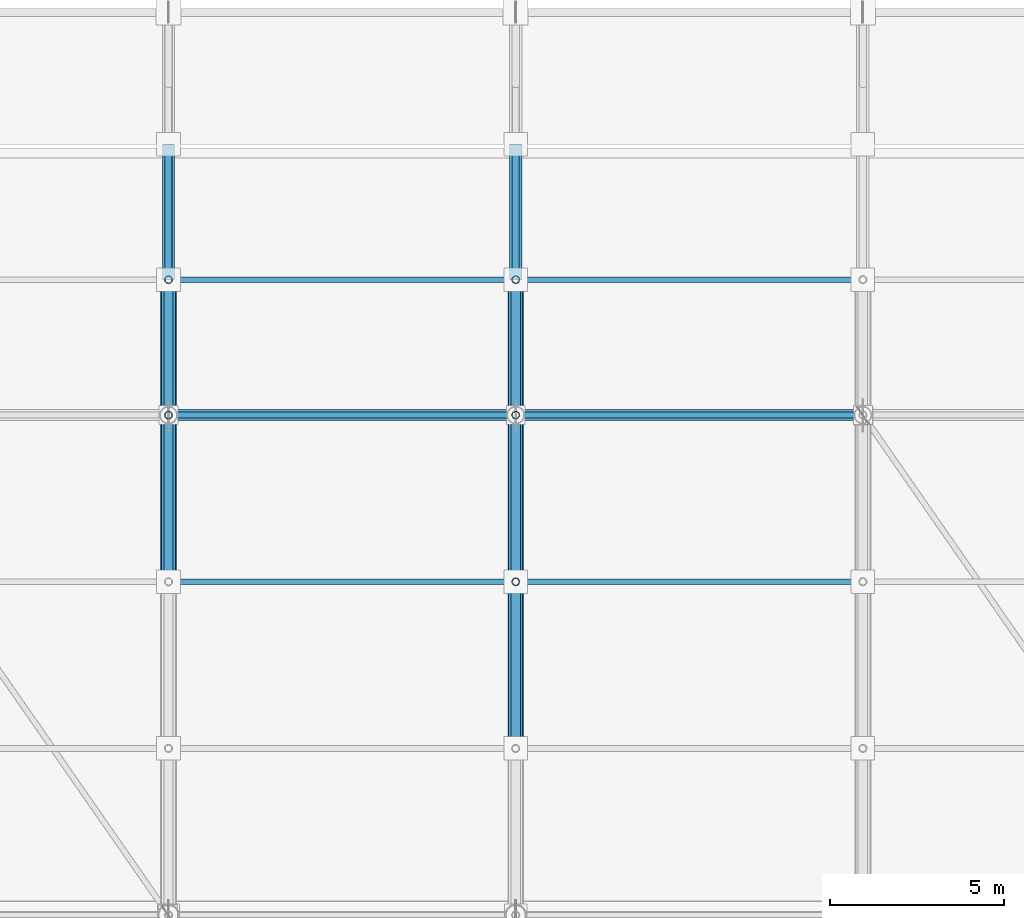
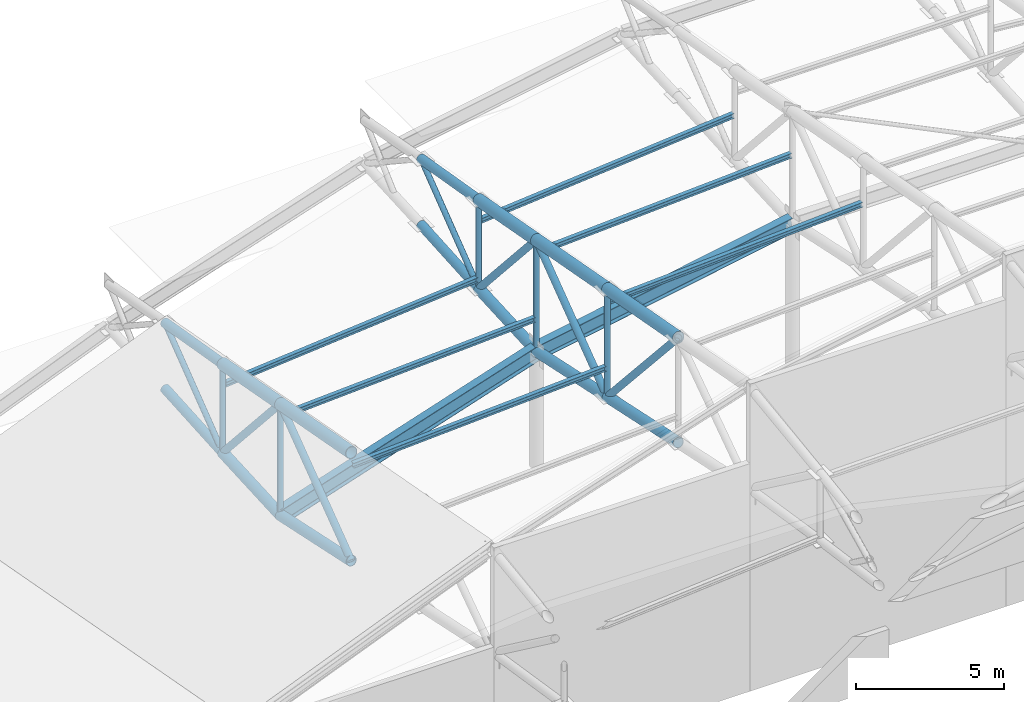
# One storey, part 31 of 146: 32 members, 2 beams.
"""IFC4 building model written with IfcOpenShell, lengths in metres."""

import ifcopenshell
import ifcopenshell.guid

model = None  # the IFC model being written
_history = None  # IfcOwnerHistory: only IFC2X3 demands one
_inside = {}  # id of a spatial element -> (the spatial element, [elements in it])
_under = {}  # id of a project, library or spatial element -> (it, [spatial elements below it])
_declared = {}  # id of a project -> (the project, [libraries it declares])
_typed = {}  # id of a type object -> (the type object, [elements of that type])
_made_of = {}  # id of a material, layer set ... -> (it, [elements and type objects made of it])


def new_model(schema):
    """Start an empty IFC model of exactly this schema.

    Asked for "IFC4X3", IfcOpenShell would pick the latest addendum, in which some entities
    have other attributes; the version numbers below select the first issue.
    IFC2X3 requires an IfcOwnerHistory on every rooted entity: one is made here for all.
    """
    global model, _history
    if schema == "IFC4X3":
        model = ifcopenshell.file(schema_version=(4, 3, 0, 0))
    else:
        model = ifcopenshell.file(schema=schema)
    _inside.clear()
    _under.clear()
    _declared.clear()
    _typed.clear()
    _made_of.clear()
    _history = None
    if model.schema == "IFC2X3":
        org = make("IfcOrganization", Name="unknown")
        user = make(
            "IfcPersonAndOrganization",
            ThePerson=make("IfcPerson", FamilyName="unknown"),
            TheOrganization=org,
        )
        app = make(
            "IfcApplication",
            ApplicationDeveloper=org,
            Version="unknown",
            ApplicationFullName="unknown",
            ApplicationIdentifier="unknown",
        )
        _history = make(
            "IfcOwnerHistory",
            OwningUser=user,
            OwningApplication=app,
            ChangeAction="ADDED",
            CreationDate=0,
        )
    return model


def make(cls, **values):
    """One entity of the class cls with the attributes given. An attribute that is None is left unset."""
    return model.create_entity(
        cls, **{name: value for name, value in values.items() if value is not None}
    )


def rooted(cls, **values):
    """An entity with a GlobalId (a new one), such as an element, a storey or a relation."""
    return make(cls, GlobalId=ifcopenshell.guid.new(), OwnerHistory=_history, **values)


def si_unit(unit_type, name, prefix=None):
    """IfcSIUnit, for example si_unit("LENGTHUNIT", "METRE", prefix="MILLI")."""
    return make("IfcSIUnit", UnitType=unit_type, Prefix=prefix, Name=name)


def assignment(units):
    """IfcUnitAssignment: the units of a project."""
    return None if units is None else make("IfcUnitAssignment", Units=units)


def point(xyz):
    """IfcCartesianPoint."""
    return None if xyz is None else make("IfcCartesianPoint", Coordinates=xyz)


def direction(xyz):
    """IfcDirection."""
    return None if xyz is None else make("IfcDirection", DirectionRatios=xyz)


def frame(location, z_axis=None, x_axis=None):
    """IfcAxis2Placement3D, a coordinate frame: its origin and axes. An axis left out is left unset."""
    return make(
        "IfcAxis2Placement3D",
        Location=point(location),
        Axis=direction(z_axis),
        RefDirection=direction(x_axis),
    )


def frame_2d(location, x_axis=None):
    """IfcAxis2Placement2D, a coordinate frame in the plane: its origin and x axis."""
    return make(
        "IfcAxis2Placement2D", Location=point(location), RefDirection=direction(x_axis)
    )


def origin():
    """The frame at (0, 0, 0) with its axes left unset."""
    return frame((0.0, 0.0, 0.0))


def origin_2d():
    """The frame at (0, 0) in the plane with its x axis left unset."""
    return frame_2d((0.0, 0.0))


def place(relative_to, where):
    """IfcLocalPlacement: puts the frame where relative to a parent placement (None: the world)."""
    return make(
        "IfcLocalPlacement", PlacementRelTo=relative_to, RelativePlacement=where
    )


def context(
    kind, dimensions, precision=None, world=None, true_north=None, identifier=None
):
    """IfcGeometricRepresentationContext, for example the 3D "Model" context."""
    return make(
        "IfcGeometricRepresentationContext",
        ContextIdentifier=identifier,
        ContextType=kind,
        CoordinateSpaceDimension=dimensions,
        Precision=precision,
        WorldCoordinateSystem=world,
        TrueNorth=true_north,
    )


def subcontext(parent, identifier, kind, view, scale=None):
    """IfcGeometricRepresentationSubContext, for example "Body" below "Model"."""
    return make(
        "IfcGeometricRepresentationSubContext",
        ContextIdentifier=identifier,
        ContextType=kind,
        ParentContext=parent,
        TargetScale=scale,
        TargetView=view,
    )


def project(units=None, contexts=None):
    """IfcProject with its units and contexts."""
    return rooted(
        "IfcProject",
        Name="project",
        RepresentationContexts=contexts,
        UnitsInContext=assignment(units),
    )


def spatial(cls, under=None, at=None, **own):
    """A site, building, storey or space (cls), placed at a placement, below another one or the project."""
    s = rooted(cls, ObjectPlacement=at, **own)
    if under is not None:
        _under.setdefault(under.id(), (under, []))[1].append(s)
    return s


def profile(cls, at=None, kind="AREA", **sizes):
    """A parametric profile (cls). Its sizes go by their IFC names, for example OverallWidth=200.0."""
    return make(cls, ProfileType=kind, Position=at, **sizes)


def hollow_circle(**sizes):
    """IfcCircleHollowProfileDef."""
    return profile("IfcCircleHollowProfileDef", **sizes)


def i_section(**sizes):
    """IfcIShapeProfileDef."""
    return profile("IfcIShapeProfileDef", **sizes)


def extrude(swept, where, along, depth):
    """IfcExtrudedAreaSolid: the profile swept, set in the frame where, extruded along a direction by depth."""
    return make(
        "IfcExtrudedAreaSolid",
        SweptArea=swept,
        Position=where,
        ExtrudedDirection=direction(along),
        Depth=depth,
    )


def shape(context_of_items, identifier, shape_type, items):
    """IfcShapeRepresentation: the items that make up one representation, for example the "Body"."""
    return make(
        "IfcShapeRepresentation",
        ContextOfItems=context_of_items,
        RepresentationIdentifier=identifier,
        RepresentationType=shape_type,
        Items=items,
    )


def material(Name=None, Category=None):
    """IfcMaterial."""
    return make("IfcMaterial", Name=Name, Category=Category)


def material_profile(
    of_material, cross_section, Name=None, Category=None, Priority=None
):
    """IfcMaterialProfile: a cross section and its material."""
    return make(
        "IfcMaterialProfile",
        Name=Name,
        Material=of_material,
        Profile=cross_section,
        Priority=Priority,
        Category=Category,
    )


def profile_set(profiles, Name=None, composite=None):
    """IfcMaterialProfileSet."""
    return make(
        "IfcMaterialProfileSet",
        Name=Name,
        MaterialProfiles=profiles,
        CompositeProfile=composite,
    )


def made_of(thing, what):
    """Note that an element or type object is made of a material, layer set ...; save() writes the relation."""
    if what is not None:
        _made_of.setdefault(what.id(), (what, []))[1].append(thing)
    return thing


def type_object(cls, material=None, **own):
    """A type object (cls), such as IfcWallType, which elements share."""
    return made_of(rooted(cls, **own), material)


def element(
    cls,
    number,
    at=None,
    inside=None,
    cuts=None,
    type_object=None,
    material=None,
    context=None,
    identifier="Body",
    shape_type=None,
    held_by="IfcProductDefinitionShape",
    body=None,
    shapes=None,
    **own,
):
    """One element of the class cls, such as IfcWall. Its Tag is "e" and its number.

    at: its placement. inside: the storey or other place that contains it. cuts: it is an
    opening in that element (IfcRelVoidsElement). A single representation is given by context,
    identifier, shape_type and body (its items); several are given by shapes. held_by: the class
    of the entity that holds the representations. save() writes the other relations.
    """
    e = rooted(cls, Tag="e%d" % number, ObjectPlacement=at, **own)
    if body is not None:
        shapes = [shape(context, identifier, shape_type, body)]
    if shapes is not None:
        e.Representation = make(held_by, Representations=shapes)
    if inside is not None:
        _inside.setdefault(inside.id(), (inside, []))[1].append(e)
    if cuts is not None:
        rooted(
            "IfcRelVoidsElement", RelatingBuildingElement=cuts, RelatedOpeningElement=e
        )
    if type_object is not None:
        _typed.setdefault(type_object.id(), (type_object, []))[1].append(e)
    return made_of(e, material)


def aggregate(whole, parts):
    """IfcRelAggregates: a whole, such as a stair, and the parts it consists of."""
    return rooted("IfcRelAggregates", RelatingObject=whole, RelatedObjects=parts)


def save(model, path):
    """Write the relations noted so far, then the file.

    IfcRelAggregates (storeys below a building ...), IfcRelContainedInSpatialStructure (elements
    in a storey), IfcRelDefinesByType, IfcRelAssociatesMaterial and IfcRelDeclares: one each for
    every whole, place, type object, material and project.
    """
    for whole, parts in _under.values():
        aggregate(whole, parts)
    for where, things in _inside.values():
        rooted(
            "IfcRelContainedInSpatialStructure",
            RelatedElements=things,
            RelatingStructure=where,
        )
    for kind, things in _typed.values():
        rooted("IfcRelDefinesByType", RelatedObjects=things, RelatingType=kind)
    for what, things in _made_of.values():
        rooted("IfcRelAssociatesMaterial", RelatedObjects=things, RelatingMaterial=what)
    for by, libraries in _declared.values():
        rooted("IfcRelDeclares", RelatingContext=by, RelatedDefinitions=libraries)
    model.write(path)


model = new_model("IFC4")

# Units and contexts
model_context = context("Model", 3, precision=1e-05, world=origin(), true_north=direction((0.0, 1.0)))
body_context = subcontext(model_context, "Body", "Model", "MODEL_VIEW")
ifc_project = project(units=[si_unit("LENGTHUNIT", "METRE"), si_unit("AREAUNIT", "SQUARE_METRE"), si_unit("VOLUMEUNIT", "CUBIC_METRE"), si_unit("PLANEANGLEUNIT", "RADIAN"), si_unit("MASSUNIT", "GRAM", prefix="KILO")], contexts=[model_context])

# Site, building, storey
site_placement = place(None, origin())
site = spatial("IfcSite", under=ifc_project, at=site_placement, CompositionType="ELEMENT")
building_placement = place(site_placement, origin())
building = spatial("IfcBuilding", under=site, at=building_placement, Name="Candeia Ridge Stadium", CompositionType="ELEMENT")
storey_placement = place(building_placement, frame((0.0, 0.0, 31.800048828125)))
storey = spatial("IfcBuildingStorey", under=building, at=storey_placement, Name="RF", CompositionType="ELEMENT", Elevation=31.800048828125)

# Beams
ifc_material = material(Name="Steel ASTM A572 Grade 50", Category="steel")
ifc_material_profile_1 = material_profile(ifc_material, i_section(OverallWidth=0.324951171875, OverallDepth=0.615966796875, WebThickness=0.013916015625, FlangeThickness=0.021484375, FilletRadius=0.014892578125, at=origin_2d()), Name="W610x174", Category="steel")
ifc_profile_set_1 = profile_set([ifc_material_profile_1], Name="Steel ASTM A572 Grade 50")
beam_type = type_object("IfcBeamType", Name="Roof Compression Ring Beam W610x174", PredefinedType="BEAM", material=ifc_profile_set_1)
beam_1_placement = place(storey_placement, frame((81.0380859375, 33.39990234375, 1.427001953125), z_axis=(0.950459193957, 0.0, 0.310849353583), x_axis=(0.0, 1.0, 0.0)))
element("IfcBeam", 1, at=beam_1_placement, inside=storey, type_object=beam_type, Name="Roof compression ring beam bay 20", PredefinedType="BEAM", context=body_context, shape_type="SweptSolid", body=[
    extrude(i_section(OverallWidth=0.324951171875, OverallDepth=0.615966796875, WebThickness=0.013916015625, FlangeThickness=0.021484375, FilletRadius=0.014892578125, at=origin_2d()), origin(), (0.0, 0.0, 1.0), 10.441162109375),
])
beam_2_placement = place(storey_placement, frame((91.039306640625, 33.39990234375, 4.6923828125), z_axis=(0.983924099588, 0.0, 0.178587139095), x_axis=(0.0, 1.0, 0.0)))
element("IfcBeam", 2, at=beam_2_placement, inside=storey, type_object=beam_type, Name="Roof compression ring beam bay 21", PredefinedType="BEAM", context=body_context, shape_type="SweptSolid", body=[
    extrude(i_section(OverallWidth=0.324951171875, OverallDepth=0.615966796875, WebThickness=0.013916015625, FlangeThickness=0.021484375, FilletRadius=0.014892578125, at=origin_2d()), origin(), (0.0, 0.0, 1.0), 10.08349609375),
])

# Members
ifc_material_profile_2 = material_profile(ifc_material, i_section(OverallWidth=0.1650390625, OverallDepth=0.200927734375, WebThickness=0.006103515625, FlangeThickness=0.01025390625, FilletRadius=0.010009765625, at=origin_2d()), Name="W200x35.9", Category="steel")
ifc_profile_set_2 = profile_set([ifc_material_profile_2], Name="Steel ASTM A572 Grade 50")
member_type_1 = type_object("IfcMemberType", Name="Roof Purlin W200x35.9", PredefinedType="PURLIN", material=ifc_profile_set_2)
member_1_placement = place(storey_placement, frame((81.0498046875, 37.300048828125, 4.4375), z_axis=(0.995975929729, 0.0, 0.08962113256), x_axis=(0.0, 1.0, 0.0)))
element("IfcMember", 3, at=member_1_placement, inside=storey, type_object=member_type_1, Name="Saddle roof steel purlin bay 20-1", PredefinedType="PURLIN", context=body_context, shape_type="SweptSolid", body=[
    extrude(i_section(OverallWidth=0.1650390625, OverallDepth=0.200927734375, WebThickness=0.006103515625, FlangeThickness=0.01025390625, FilletRadius=0.010009765625, at=origin_2d()), origin(), (0.0, 0.0, 1.0), 9.9404296875),
])
for number, where, z_axis, x_axis, name in (
    (4, (81.0498046875, 33.39990234375, 5.497314453125), (0.998435557369, 0.0, 0.055914557871), (0.0, 1.0, 0.0), "Saddle roof steel purlin bay 20-2"),
    (5, (81.0498046875, 28.60009765625, 6.38525390625), (0.998435557369, 0.0, 0.055914557871), (0.0, 1.0, 0.0), "Saddle roof steel purlin bay 20-3"),
):
    element("IfcMember", number, at=place(storey_placement, frame(where, z_axis=z_axis, x_axis=x_axis)), inside=storey, type_object=member_type_1, Name=name, PredefinedType="PURLIN", context=body_context, shape_type="SweptSolid", body=[
        extrude(i_section(OverallWidth=0.1650390625, OverallDepth=0.200927734375, WebThickness=0.006103515625, FlangeThickness=0.01025390625, FilletRadius=0.010009765625, at=origin_2d()), origin(), (0.0, 0.0, 1.0), 9.916015625),
    ])
member_2_placement = place(storey_placement, frame((91.0498046875, 37.300048828125, 7.708251953125), z_axis=(0.995975929729, 0.0, 0.08962113256), x_axis=(0.0, 1.0, 0.0)))
element("IfcMember", 6, at=member_2_placement, inside=storey, type_object=member_type_1, Name="Saddle roof steel purlin bay 21-1", PredefinedType="PURLIN", context=body_context, shape_type="SweptSolid", body=[
    extrude(i_section(OverallWidth=0.1650390625, OverallDepth=0.200927734375, WebThickness=0.006103515625, FlangeThickness=0.01025390625, FilletRadius=0.010009765625, at=origin_2d()), origin(), (0.0, 0.0, 1.0), 9.9404296875),
])
member_3_placement = place(storey_placement, frame((91.0498046875, 33.39990234375, 8.76806640625), z_axis=(0.998436931594, 0.0, 0.055890013679), x_axis=(0.0, 1.0, 0.0)))
element("IfcMember", 7, at=member_3_placement, inside=storey, type_object=member_type_1, Name="Saddle roof steel purlin bay 21-2", PredefinedType="PURLIN", context=body_context, shape_type="SweptSolid", body=[
    extrude(i_section(OverallWidth=0.1650390625, OverallDepth=0.200927734375, WebThickness=0.006103515625, FlangeThickness=0.01025390625, FilletRadius=0.010009765625, at=origin_2d()), origin(), (0.0, 0.0, 1.0), 9.915771484375),
])
member_4_placement = place(storey_placement, frame((91.0498046875, 28.60009765625, 9.656005859375), z_axis=(0.998435557369, 0.0, 0.055914557871), x_axis=(0.0, 1.0, 0.0)))
element("IfcMember", 8, at=member_4_placement, inside=storey, type_object=member_type_1, Name="Saddle roof steel purlin bay 21-3", PredefinedType="PURLIN", context=body_context, shape_type="SweptSolid", body=[
    extrude(i_section(OverallWidth=0.1650390625, OverallDepth=0.200927734375, WebThickness=0.006103515625, FlangeThickness=0.01025390625, FilletRadius=0.010009765625, at=origin_2d()), origin(), (0.0, 0.0, 1.0), 9.916015625),
])
ifc_material_profile_3 = material_profile(ifc_material, hollow_circle(Radius=0.136474609375, WallThickness=0.010009765625, at=origin_2d()), Name="CHS273x10", Category="steel")
ifc_profile_set_3 = profile_set([ifc_material_profile_3], Name="Steel ASTM A572 Grade 50")
member_type_2 = type_object("IfcMemberType", Name="Roof Truss Heavy Web Brace CHS273x10", PredefinedType="BRACE", material=ifc_profile_set_3)
member_5_placement = place(storey_placement, frame((81.0, 37.300048828125, 1.63427734375), z_axis=(0.0, -0.665001791652, 0.746841761754), x_axis=(1.0, 0.0, 0.0)))
element("IfcMember", 9, at=member_5_placement, inside=storey, type_object=member_type_2, Name="Roof cantilever truss RT-20 diagonal web 3", PredefinedType="BRACE", context=body_context, shape_type="SweptSolid", body=[
    extrude(hollow_circle(Radius=0.136474609375, WallThickness=0.010009765625, at=origin_2d()), origin(), (0.0, 0.0, 1.0), 5.86474609375),
])
member_6_placement = place(storey_placement, frame((81.0, 33.39990234375, 6.014404296875), z_axis=(0.0, -0.801699676117, -0.597727052519), x_axis=(1.0, 0.0, 0.0)))
element("IfcMember", 10, at=member_6_placement, inside=storey, type_object=member_type_2, Name="Roof cantilever truss RT-20 diagonal web 4", PredefinedType="BRACE", context=body_context, shape_type="SweptSolid", body=[
    extrude(hollow_circle(Radius=0.136474609375, WallThickness=0.010009765625, at=origin_2d()), origin(), (0.0, 0.0, 1.0), 5.987060546875),
])
member_7_placement = place(storey_placement, frame((91.0, 37.300048828125, 4.905029296875), z_axis=(0.0, -0.665001791652, 0.746841761754), x_axis=(1.0, 0.0, 0.0)))
element("IfcMember", 11, at=member_7_placement, inside=storey, type_object=member_type_2, Name="Roof cantilever truss RT-21 diagonal web 3", PredefinedType="BRACE", context=body_context, shape_type="SweptSolid", body=[
    extrude(hollow_circle(Radius=0.136474609375, WallThickness=0.010009765625, at=origin_2d()), origin(), (0.0, 0.0, 1.0), 5.86474609375),
])
member_8_placement = place(storey_placement, frame((91.0, 33.39990234375, 9.28515625), z_axis=(0.0, -0.801699676117, -0.597727052519), x_axis=(1.0, 0.0, 0.0)))
element("IfcMember", 12, at=member_8_placement, inside=storey, type_object=member_type_2, Name="Roof cantilever truss RT-21 diagonal web 4", PredefinedType="BRACE", context=body_context, shape_type="SweptSolid", body=[
    extrude(hollow_circle(Radius=0.136474609375, WallThickness=0.010009765625, at=origin_2d()), origin(), (0.0, 0.0, 1.0), 5.987060546875),
])
member_9_placement = place(storey_placement, frame((91.0, 28.60009765625, 5.70654296875), z_axis=(0.0, -0.667504126232, 0.744606098191), x_axis=(1.0, 0.0, 0.0)))
element("IfcMember", 13, at=member_9_placement, inside=storey, type_object=member_type_2, Name="Roof cantilever truss RT-21 diagonal web 5", PredefinedType="BRACE", context=body_context, shape_type="SweptSolid", body=[
    extrude(hollow_circle(Radius=0.136474609375, WallThickness=0.010009765625, at=origin_2d()), origin(), (0.0, 0.0, 1.0), 7.19091796875),
])
ifc_material_profile_4 = material_profile(ifc_material, hollow_circle(Radius=0.109619140625, WallThickness=0.010009765625, at=origin_2d()), Name="CHS219x10", Category="steel")
ifc_profile_set_4 = profile_set([ifc_material_profile_4], Name="Steel ASTM A572 Grade 50")
member_type_3 = type_object("IfcMemberType", Name="Roof Truss Inner Web Brace CHS219x10", PredefinedType="BRACE", material=ifc_profile_set_4)
member_10_placement = place(storey_placement, frame((81.0, 41.199951171875, 4.621337890625), z_axis=(0.0, -0.793887844601, -0.608064215519), x_axis=(1.0, 0.0, 0.0)))
element("IfcMember", 14, at=member_10_placement, inside=storey, type_object=member_type_3, Name="Roof cantilever truss RT-20 diagonal web 2", PredefinedType="BRACE", context=body_context, shape_type="SweptSolid", body=[
    extrude(hollow_circle(Radius=0.109619140625, WallThickness=0.010009765625, at=origin_2d()), origin(), (0.0, 0.0, 1.0), 4.912353515625),
])
member_11_placement = place(storey_placement, frame((81.0, 37.300048828125, 1.63427734375), z_axis=(0.0, 0.0, 1.0), x_axis=(1.0, 0.0, 0.0)))
element("IfcMember", 15, at=member_11_placement, inside=storey, type_object=member_type_3, Name="Roof cantilever truss RT-20 vertical post 2", PredefinedType="BRACE", context=body_context, shape_type="SweptSolid", body=[
    extrude(hollow_circle(Radius=0.109619140625, WallThickness=0.010009765625, at=origin_2d()), origin(), (0.0, 0.0, 1.0), 3.65869140625),
])
member_12_placement = place(storey_placement, frame((81.0, 33.39990234375, 1.41455078125), z_axis=(0.0, 0.0, 1.0), x_axis=(1.0, 0.0, 0.0)))
element("IfcMember", 16, at=member_12_placement, inside=storey, type_object=member_type_3, Name="Roof cantilever truss RT-20 vertical post 3", PredefinedType="BRACE", context=body_context, shape_type="SweptSolid", body=[
    extrude(hollow_circle(Radius=0.109619140625, WallThickness=0.010009765625, at=origin_2d()), origin(), (0.0, 0.0, 1.0), 4.599853515625),
])
member_13_placement = place(storey_placement, frame((91.0, 41.199951171875, 7.89208984375), z_axis=(0.0, -0.793887844601, -0.608064215519), x_axis=(1.0, 0.0, 0.0)))
element("IfcMember", 17, at=member_13_placement, inside=storey, type_object=member_type_3, Name="Roof cantilever truss RT-21 diagonal web 2", PredefinedType="BRACE", context=body_context, shape_type="SweptSolid", body=[
    extrude(hollow_circle(Radius=0.109619140625, WallThickness=0.010009765625, at=origin_2d()), origin(), (0.0, 0.0, 1.0), 4.912353515625),
])
member_14_placement = place(storey_placement, frame((91.0, 37.300048828125, 4.905029296875), z_axis=(0.0, 0.0, 1.0), x_axis=(1.0, 0.0, 0.0)))
element("IfcMember", 18, at=member_14_placement, inside=storey, type_object=member_type_3, Name="Roof cantilever truss RT-21 vertical post 2", PredefinedType="BRACE", context=body_context, shape_type="SweptSolid", body=[
    extrude(hollow_circle(Radius=0.109619140625, WallThickness=0.010009765625, at=origin_2d()), origin(), (0.0, 0.0, 1.0), 3.65869140625),
])
member_15_placement = place(storey_placement, frame((91.0, 33.39990234375, 4.68505859375), z_axis=(0.0, 0.0, 1.0), x_axis=(1.0, 0.0, 0.0)))
element("IfcMember", 19, at=member_15_placement, inside=storey, type_object=member_type_3, Name="Roof cantilever truss RT-21 vertical post 3", PredefinedType="BRACE", context=body_context, shape_type="SweptSolid", body=[
    extrude(hollow_circle(Radius=0.109619140625, WallThickness=0.010009765625, at=origin_2d()), origin(), (0.0, 0.0, 1.0), 4.60009765625),
])
member_16_placement = place(storey_placement, frame((91.0, 28.60009765625, 5.70654296875), z_axis=(0.0, 0.0, 1.0), x_axis=(1.0, 0.0, 0.0)))
element("IfcMember", 20, at=member_16_placement, inside=storey, type_object=member_type_3, Name="Roof cantilever truss RT-21 vertical post 4", PredefinedType="BRACE", context=body_context, shape_type="SweptSolid", body=[
    extrude(hollow_circle(Radius=0.109619140625, WallThickness=0.010009765625, at=origin_2d()), origin(), (0.0, 0.0, 1.0), 4.466552734375),
])
ifc_material_profile_5 = material_profile(ifc_material, hollow_circle(Radius=0.228515625, WallThickness=0.02001953125, at=origin_2d()), Name="CHS457x20", Category="steel")
ifc_profile_set_5 = profile_set([ifc_material_profile_5], Name="Steel ASTM A572 Grade 50")
member_type_4 = type_object("IfcMemberType", Name="Roof Truss Main Chord CHS457x20", PredefinedType="CHORD", material=ifc_profile_set_5)
member_17_placement = place(storey_placement, frame((81.0, 37.300048828125, 5.29296875), z_axis=(0.0, -0.983318721205, 0.181890880824), x_axis=(1.0, 0.0, 0.0)))
element("IfcMember", 21, at=member_17_placement, inside=storey, type_object=member_type_4, Name="Roof cantilever truss RT-20 top chord 3", PredefinedType="CHORD", context=body_context, shape_type="SweptSolid", body=[
    extrude(hollow_circle(Radius=0.228515625, WallThickness=0.02001953125, at=origin_2d()), origin(), (0.0, 0.0, 1.0), 3.96630859375),
])
member_18_placement = place(storey_placement, frame((81.0, 33.39990234375, 6.014404296875), z_axis=(0.0, -0.983315487156, 0.181908363519), x_axis=(1.0, 0.0, 0.0)))
element("IfcMember", 22, at=member_18_placement, inside=storey, type_object=member_type_4, Name="Roof cantilever truss RT-20 top chord 4", PredefinedType="CHORD", context=body_context, shape_type="SweptSolid", body=[
    extrude(hollow_circle(Radius=0.228515625, WallThickness=0.02001953125, at=origin_2d()), origin(), (0.0, 0.0, 1.0), 4.88134765625),
])
member_19_placement = place(storey_placement, frame((91.0, 37.300048828125, 8.563720703125), z_axis=(0.0, -0.983318721205, 0.181890880824), x_axis=(1.0, 0.0, 0.0)))
element("IfcMember", 23, at=member_19_placement, inside=storey, type_object=member_type_4, Name="Roof cantilever truss RT-21 top chord 3", PredefinedType="CHORD", context=body_context, shape_type="SweptSolid", body=[
    extrude(hollow_circle(Radius=0.228515625, WallThickness=0.02001953125, at=origin_2d()), origin(), (0.0, 0.0, 1.0), 3.96630859375),
])
member_20_placement = place(storey_placement, frame((91.0, 33.39990234375, 9.28515625), z_axis=(0.0, -0.983315487156, 0.181908363519), x_axis=(1.0, 0.0, 0.0)))
element("IfcMember", 24, at=member_20_placement, inside=storey, type_object=member_type_4, Name="Roof cantilever truss RT-21 top chord 4", PredefinedType="CHORD", context=body_context, shape_type="SweptSolid", body=[
    extrude(hollow_circle(Radius=0.228515625, WallThickness=0.02001953125, at=origin_2d()), origin(), (0.0, 0.0, 1.0), 4.88134765625),
])
member_21_placement = place(storey_placement, frame((91.0, 28.60009765625, 10.173095703125), z_axis=(0.0, -0.983317142098, 0.181899417416), x_axis=(1.0, 0.0, 0.0)))
element("IfcMember", 25, at=member_21_placement, inside=storey, type_object=member_type_4, Name="Roof cantilever truss RT-21 top chord 5", PredefinedType="CHORD", context=body_context, shape_type="SweptSolid", body=[
    extrude(hollow_circle(Radius=0.228515625, WallThickness=0.02001953125, at=origin_2d()), origin(), (0.0, 0.0, 1.0), 4.881591796875),
])
ifc_material_profile_6 = material_profile(ifc_material, hollow_circle(Radius=0.202880859375, WallThickness=0.01611328125, at=origin_2d()), Name="CHS406x16", Category="steel")
ifc_profile_set_6 = profile_set([ifc_material_profile_6], Name="Steel ASTM A572 Grade 50")
member_type_5 = type_object("IfcMemberType", Name="Roof Truss Outer Chord CHS406x16", PredefinedType="CHORD", material=ifc_profile_set_6)
member_22_placement = place(storey_placement, frame((81.0, 37.300048828125, 1.63427734375), z_axis=(0.0, -0.998416781117, -0.056248832739), x_axis=(1.0, 0.0, 0.0)))
element("IfcMember", 26, at=member_22_placement, inside=storey, type_object=member_type_5, Name="Roof cantilever truss RT-20 bottom chord 3", PredefinedType="CHORD", context=body_context, shape_type="SweptSolid", body=[
    extrude(hollow_circle(Radius=0.202880859375, WallThickness=0.01611328125, at=origin_2d()), origin(), (0.0, 0.0, 1.0), 3.90625),
])
member_23_placement = place(storey_placement, frame((81.0, 33.39990234375, 1.41455078125), z_axis=(0.0, -0.978105713519, 0.208108657154), x_axis=(1.0, 0.0, 0.0)))
element("IfcMember", 27, at=member_23_placement, inside=storey, type_object=member_type_5, Name="Roof cantilever truss RT-20 bottom chord 4", PredefinedType="CHORD", context=body_context, shape_type="SweptSolid", body=[
    extrude(hollow_circle(Radius=0.202880859375, WallThickness=0.01611328125, at=origin_2d()), origin(), (0.0, 0.0, 1.0), 4.9072265625),
])
member_24_placement = place(storey_placement, frame((91.0, 37.300048828125, 4.905029296875), z_axis=(0.0, -0.998413269272, -0.056311133372), x_axis=(1.0, 0.0, 0.0)))
element("IfcMember", 28, at=member_24_placement, inside=storey, type_object=member_type_5, Name="Roof cantilever truss RT-21 bottom chord 3", PredefinedType="CHORD", context=body_context, shape_type="SweptSolid", body=[
    extrude(hollow_circle(Radius=0.202880859375, WallThickness=0.01611328125, at=origin_2d()), origin(), (0.0, 0.0, 1.0), 3.90625),
])
member_25_placement = place(storey_placement, frame((91.0, 33.39990234375, 4.68505859375), z_axis=(0.0, -0.978095585526, 0.208156252789), x_axis=(1.0, 0.0, 0.0)))
element("IfcMember", 29, at=member_25_placement, inside=storey, type_object=member_type_5, Name="Roof cantilever truss RT-21 bottom chord 4", PredefinedType="CHORD", context=body_context, shape_type="SweptSolid", body=[
    extrude(hollow_circle(Radius=0.202880859375, WallThickness=0.01611328125, at=origin_2d()), origin(), (0.0, 0.0, 1.0), 4.9072265625),
])
member_26_placement = place(storey_placement, frame((91.0, 28.60009765625, 5.70654296875), z_axis=(0.0, -0.97810786804, 0.208098530696), x_axis=(1.0, 0.0, 0.0)))
element("IfcMember", 30, at=member_26_placement, inside=storey, type_object=member_type_5, Name="Roof cantilever truss RT-21 bottom chord 5", PredefinedType="CHORD", context=body_context, shape_type="SweptSolid", body=[
    extrude(hollow_circle(Radius=0.202880859375, WallThickness=0.01611328125, at=origin_2d()), origin(), (0.0, 0.0, 1.0), 4.907470703125),
])
ifc_material_profile_7 = material_profile(ifc_material, hollow_circle(Radius=0.177734375, WallThickness=0.01416015625, at=origin_2d()), Name="CHS355x14", Category="steel")
ifc_profile_set_7 = profile_set([ifc_material_profile_7], Name="Steel ASTM A572 Grade 50")
member_type_6 = type_object("IfcMemberType", Name="Roof Truss Tip Chord CHS355x14", PredefinedType="CHORD", material=ifc_profile_set_7)
member_27_placement = place(storey_placement, frame((81.0, 41.199951171875, 4.621337890625), z_axis=(0.0, -0.985492511851, 0.169718911988), x_axis=(1.0, 0.0, 0.0)))
element("IfcMember", 31, at=member_27_placement, inside=storey, type_object=member_type_6, Name="Roof cantilever truss RT-20 top chord 2", PredefinedType="CHORD", context=body_context, shape_type="SweptSolid", body=[
    extrude(hollow_circle(Radius=0.177734375, WallThickness=0.01416015625, at=origin_2d()), origin(), (0.0, 0.0, 1.0), 3.957275390625),
])
member_28_placement = place(storey_placement, frame((81.0, 41.199951171875, 1.904296875), z_axis=(0.0, -0.997611667068, -0.069072148728), x_axis=(1.0, 0.0, 0.0)))
element("IfcMember", 32, at=member_28_placement, inside=storey, type_object=member_type_6, Name="Roof cantilever truss RT-20 bottom chord 2", PredefinedType="CHORD", context=body_context, shape_type="SweptSolid", body=[
    extrude(hollow_circle(Radius=0.177734375, WallThickness=0.01416015625, at=origin_2d()), origin(), (0.0, 0.0, 1.0), 3.9091796875),
])
member_29_placement = place(storey_placement, frame((91.0, 41.199951171875, 7.89208984375), z_axis=(0.0, -0.985492511851, 0.169718911988), x_axis=(1.0, 0.0, 0.0)))
element("IfcMember", 33, at=member_29_placement, inside=storey, type_object=member_type_6, Name="Roof cantilever truss RT-21 top chord 2", PredefinedType="CHORD", context=body_context, shape_type="SweptSolid", body=[
    extrude(hollow_circle(Radius=0.177734375, WallThickness=0.01416015625, at=origin_2d()), origin(), (0.0, 0.0, 1.0), 3.957275390625),
])
member_30_placement = place(storey_placement, frame((91.0, 41.199951171875, 5.175048828125), z_axis=(0.0, -0.997611667068, -0.069072148728), x_axis=(1.0, 0.0, 0.0)))
element("IfcMember", 34, at=member_30_placement, inside=storey, type_object=member_type_6, Name="Roof cantilever truss RT-21 bottom chord 2", PredefinedType="CHORD", context=body_context, shape_type="SweptSolid", body=[
    extrude(hollow_circle(Radius=0.177734375, WallThickness=0.01416015625, at=origin_2d()), origin(), (0.0, 0.0, 1.0), 3.9091796875),
])

save(model, "model.ifc")
